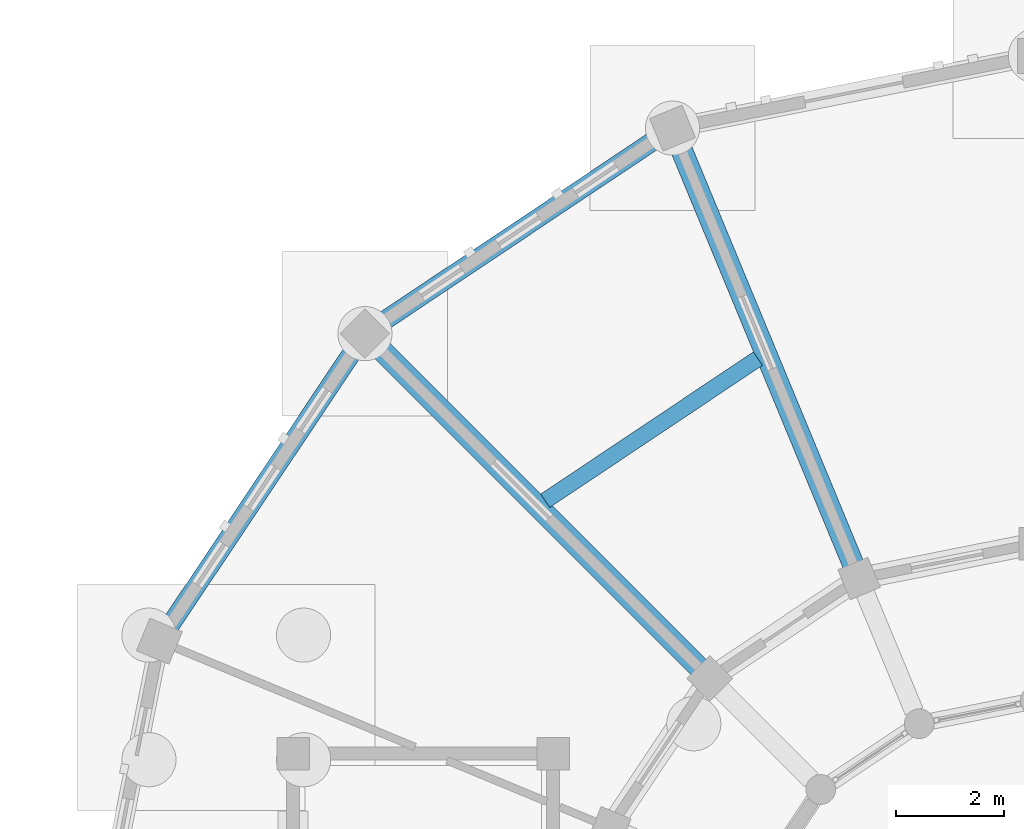
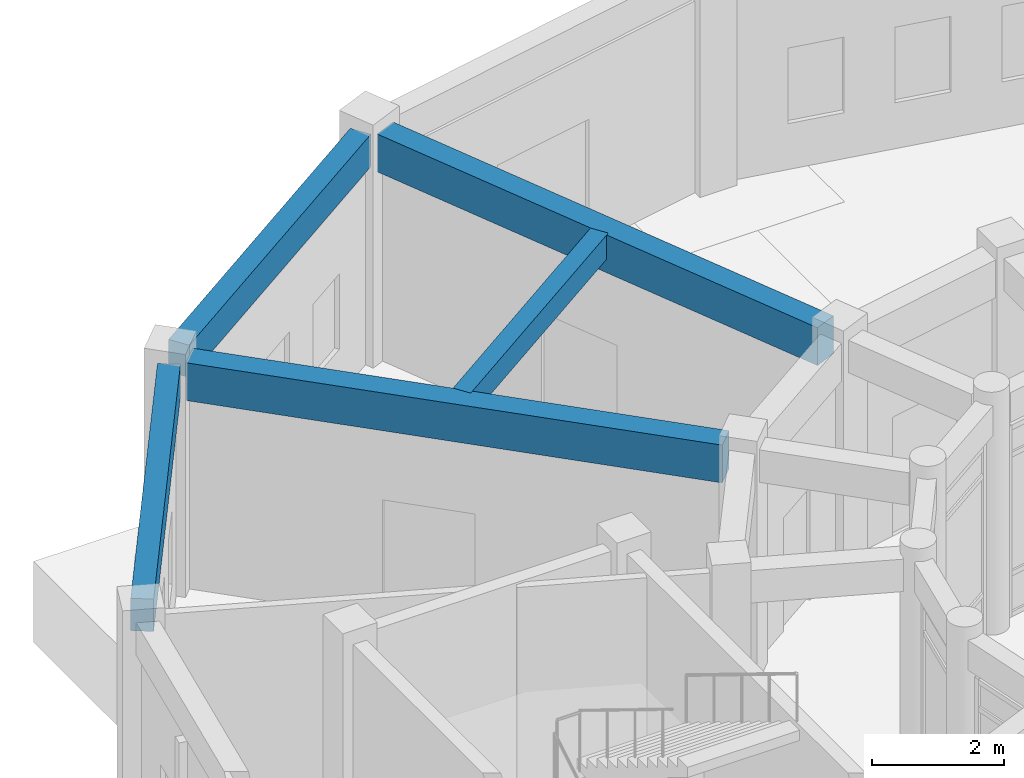
# One storey, part 73 of 153: 5 beams.
"""IFC4 building model written with IfcOpenShell, lengths in metres."""

from ifc_helpers import new_model, si_unit, direction, frame, origin, origin_2d, place, context, subcontext, project, spatial, rectangle, extrude, material, material_profile, profile_set, type_object, element, save


model = new_model("IFC4")

# Units and contexts
model_context = context("Model", 3, precision=1e-05, world=origin(), true_north=direction((0.0, 1.0)))
body_context = subcontext(model_context, "Body", "Model", "MODEL_VIEW")
ifc_project = project(units=[si_unit("LENGTHUNIT", "METRE"), si_unit("AREAUNIT", "SQUARE_METRE"), si_unit("VOLUMEUNIT", "CUBIC_METRE"), si_unit("PLANEANGLEUNIT", "RADIAN"), si_unit("MASSUNIT", "GRAM", prefix="KILO")], contexts=[model_context])

# Site, building, storey
site_placement = place(None, origin())
site = spatial("IfcSite", under=ifc_project, at=site_placement, CompositionType="ELEMENT")
building_placement = place(site_placement, origin())
building = spatial("IfcBuilding", under=site, at=building_placement, Name="Celadon Cloister-Ring School", CompositionType="ELEMENT")
storey_placement = place(building_placement, origin())
storey = spatial("IfcBuildingStorey", under=building, at=storey_placement, Name="L00", CompositionType="ELEMENT", Elevation=0.0)

# Beams
ifc_material_1 = material(Name="Concrete C35/45", Category="concrete")
ifc_material_profile_1 = material_profile(ifc_material_1, rectangle(XDim=0.39990234375, YDim=0.699951171875, at=origin_2d()), Name="RC400X700")
ifc_profile_set_1 = profile_set([ifc_material_profile_1], Name="Concrete C35/45")
beam_type_1 = type_object("IfcBeamType", Name="GT-03", PredefinedType="USERDEFINED", material=ifc_profile_set_1)
beam_1_placement = place(storey_placement, frame((13.617919921875, 112.89111328125, 3.909912109375), z_axis=(0.382664011358, -0.923887576717, 0.0), x_axis=(0.923887576717, 0.382664011358, 0.0)))
element("IfcBeam", 1, at=beam_1_placement, inside=storey, type_object=beam_type_1, Name="Beam 0596", ObjectType="GIRDER", PredefinedType="USERDEFINED", context=body_context, shape_type="SweptSolid", body=[
    extrude(rectangle(XDim=0.39990234375, YDim=0.699951171875, at=origin_2d()), origin(), (0.0, 0.0, 1.0), 8.425537109375),
])
beam_2_placement = place(storey_placement, frame((8.0380859375, 109.162109375, 3.909912109375), z_axis=(0.707106781187, -0.707106781187, 0.0), x_axis=(0.707106781187, 0.707106781187, 0.0)))
element("IfcBeam", 2, at=beam_2_placement, inside=storey, type_object=beam_type_1, Name="Beam 0598", ObjectType="GIRDER", PredefinedType="USERDEFINED", context=body_context, shape_type="SweptSolid", body=[
    extrude(rectangle(XDim=0.39990234375, YDim=0.699951171875, at=origin_2d()), origin(), (0.0, 0.0, 1.0), 8.42578125),
])
ifc_material_2 = material(Name="Concrete C35/45", Category="concrete")
ifc_material_profile_2 = material_profile(ifc_material_2, rectangle(XDim=0.300048828125, YDim=0.449951171875, at=origin_2d()), Name="RC300X450")
ifc_profile_set_2 = profile_set([ifc_material_profile_2], Name="Concrete C35/45")
beam_type_2 = type_object("IfcBeamType", Name="JT-01", PredefinedType="JOIST", material=ifc_profile_set_2)
beam_3_placement = place(storey_placement, frame((15.0791015625, 108.9130859375, 4.034912109375), z_axis=(-0.831333623542, -0.55577370068, 0.0), x_axis=(0.55577370068, -0.831333623542, 0.0)))
element("IfcBeam", 3, at=beam_3_placement, inside=storey, type_object=beam_type_2, Name="Beam 0630", PredefinedType="JOIST", context=body_context, shape_type="SweptSolid", body=[
    extrude(rectangle(XDim=0.300048828125, YDim=0.449951171875, at=origin_2d()), origin(), (0.0, 0.0, 1.0), 4.721435546875),
])
ifc_material_3 = material(Name="Concrete C35/45", Category="concrete")
ifc_material_profile_3 = material_profile(ifc_material_3, rectangle(XDim=0.35009765625, YDim=0.60009765625, at=origin_2d()), Name="RC350X600")
ifc_profile_set_3 = profile_set([ifc_material_profile_3], Name="Concrete C35/45")
beam_type_3 = type_object("IfcBeamType", Name="SP-01", PredefinedType="SPANDREL", material=ifc_profile_set_3)
for number, where, z_axis, x_axis, name in (
    (4, (13.25390625, 113.0009765625, 3.9599609375), (-0.831507154531, -0.555514042993, 0.0), (0.555514042993, -0.831507154531, 0.0), "Beam 0627"),
    (5, (7.658935546875, 109.125, 3.9599609375), (-0.555514042993, -0.831507154531, 0.0), (0.831507154531, -0.555514042993, 0.0), "Beam 0631"),
):
    element("IfcBeam", number, at=place(storey_placement, frame(where, z_axis=z_axis, x_axis=x_axis)), inside=storey, type_object=beam_type_3, Name=name, PredefinedType="SPANDREL", context=body_context, shape_type="SweptSolid", body=[
        extrude(rectangle(XDim=0.35009765625, YDim=0.60009765625, at=origin_2d()), origin(), (0.0, 0.0, 1.0), 6.228515625),
    ])

save(model, "model.ifc")
